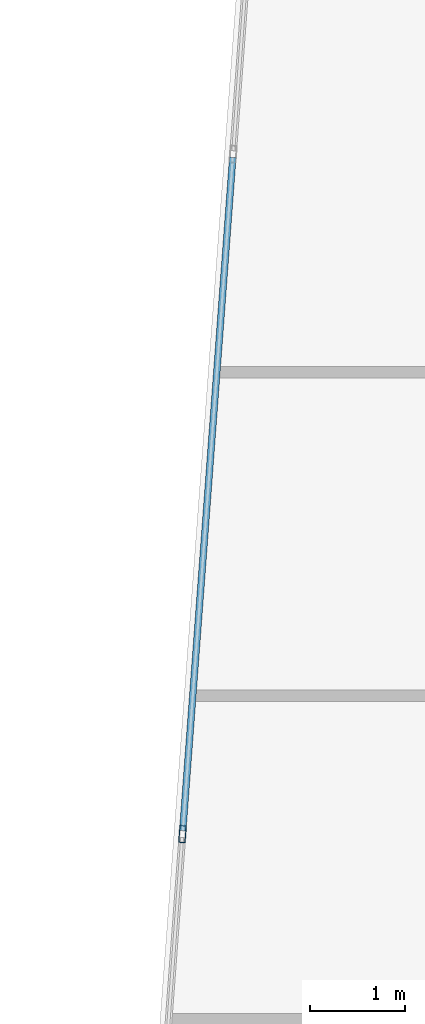
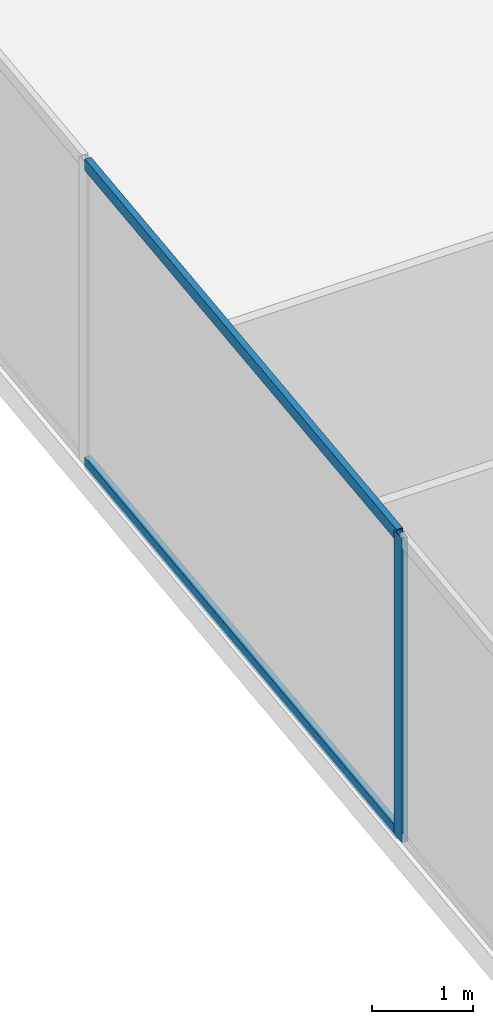
# One storey, part 10 of 30: 3 members, 1 element without a shape of its own.
"""IFC4 building model written with IfcOpenShell, lengths in metres."""

from ifc_helpers import new_model, si_unit, direction, frame, origin, origin_2d, place, context, subcontext, project, spatial, hollow_rectangle, extrude, source, transform, mapped, material, material_profile, profile_set, type_object, type_shapes, element, aggregate, save


model = new_model("IFC4")

# Units and contexts
model_context = context("Model", 3, precision=1e-05, world=origin(), true_north=direction((0.0, 1.0)))
body_context = subcontext(model_context, "Body", "Model", "MODEL_VIEW")
ifc_project = project(units=[si_unit("LENGTHUNIT", "METRE"), si_unit("AREAUNIT", "SQUARE_METRE"), si_unit("VOLUMEUNIT", "CUBIC_METRE"), si_unit("PLANEANGLEUNIT", "RADIAN"), si_unit("MASSUNIT", "GRAM", prefix="KILO")], contexts=[model_context])

# Site, building, storey
site_placement = place(None, origin())
site = spatial("IfcSite", under=ifc_project, at=site_placement, CompositionType="ELEMENT")
building_placement = place(site_placement, origin())
building = spatial("IfcBuilding", under=site, at=building_placement, Name="Krantzveldt Concourse Tower", CompositionType="ELEMENT")
storey_placement = place(building_placement, frame((0.0, 0.0, 48.699951171875)))
storey = spatial("IfcBuildingStorey", under=building, at=storey_placement, Name="L11", CompositionType="ELEMENT", Elevation=48.699951171875)

# Curtain wall, members
ifc_material = material(Name="Anodised aluminium 6063-T6", Category="aluminium")
curtain_wall_type = type_object("IfcCurtainWallType", Name="CW2", PredefinedType="USERDEFINED", material=ifc_material)
curtain_wall_placement = place(storey_placement, origin())
curtain_wall = element("IfcCurtainWall", 1, at=curtain_wall_placement, inside=storey, type_object=curtain_wall_type, Name="CW-L11-F01", ObjectType="UNITISED CURTAIN WALL", PredefinedType="USERDEFINED")
ifc_material_profile_1 = material_profile(ifc_material, hollow_rectangle(XDim=0.070068359375, YDim=0.139892578125, WallThickness=0.0048828125, at=origin_2d()), Name="Anodised aluminium 6063-T6", Category="aluminium")
ifc_profile_set_1 = profile_set([ifc_material_profile_1], Name="Anodised aluminium 6063-T6 - ALU-TRAN 140x70x5")
member_type_1 = type_object("IfcMemberType", Name="CW-TRN-150", PredefinedType="USERDEFINED", material=ifc_profile_set_1)
shared_shape_1 = source(origin(), body_context, "Body", "SweptSolid", [
    extrude(hollow_rectangle(XDim=0.070068359375, YDim=0.139892578125, WallThickness=0.0048828125, at=origin_2d()), origin(), (0.0, 0.0, 1.0), 7.0966796875),
])
type_shapes(member_type_1, [shared_shape_1])
member_1_placement = place(storey_placement, frame((11.68701171875, 35.658203125, 0.03515625), z_axis=(-0.074102314311, -0.997250644028, 0.0), x_axis=(0.997250644028, -0.074102314311, 0.0)))
member_1 = element("IfcMember", 2, at=member_1_placement, type_object=member_type_1, Name="CW-Z12 transom 3.1", ObjectType="TRANSOM", PredefinedType="USERDEFINED", context=body_context, shape_type="MappedRepresentation", body=[
    mapped(shared_shape_1, transform((0.0, 0.0, 0.0), x_axis=(1.0, 0.0, 0.0), y_axis=(0.0, 1.0, 0.0), z_axis=(0.0, 0.0, 1.0), scale=1.0)),
])
member_2_placement = place(storey_placement, frame((11.68701171875, 35.658203125, 3.635009765625), z_axis=(-0.074102314311, -0.997250644028, 0.0), x_axis=(0.997250644028, -0.074102314311, 0.0)))
member_2 = element("IfcMember", 3, at=member_2_placement, type_object=member_type_1, Name="CW-Z12 transom 3.2", ObjectType="TRANSOM", PredefinedType="USERDEFINED", context=body_context, shape_type="MappedRepresentation", body=[
    mapped(shared_shape_1, transform((0.0, 0.0, 0.0), x_axis=(1.0, 0.0, 0.0), y_axis=(0.0, 1.0, 0.0), z_axis=(0.0, 0.0, 1.0), scale=1.0)),
])
ifc_material_profile_2 = material_profile(ifc_material, hollow_rectangle(XDim=0.070068359375, YDim=0.179931640625, WallThickness=0.0048828125, at=origin_2d()), Name="Anodised aluminium 6063-T6", Category="aluminium")
ifc_profile_set_2 = profile_set([ifc_material_profile_2], Name="Anodised aluminium 6063-T6 - ALU-MULL 180x70x5")
member_type_2 = type_object("IfcMemberType", Name="CW-MUL-180", PredefinedType="MULLION", material=ifc_profile_set_2)
shared_shape_2 = source(origin(), body_context, "Body", "SweptSolid", [
    extrude(hollow_rectangle(XDim=0.070068359375, YDim=0.179931640625, WallThickness=0.0048828125, at=origin_2d()), origin(), (0.0, 0.0, 1.0), 3.670166015625),
])
type_shapes(member_type_2, [shared_shape_2])
member_3_placement = place(storey_placement, frame((11.158447265625, 28.546142578125, 0.0), z_axis=(0.0, 0.0, 1.0), x_axis=(0.997250176902, -0.07410860051, 0.0)))
member_3 = element("IfcMember", 4, at=member_3_placement, type_object=member_type_2, Name="CW-Z12 mullion 4", PredefinedType="MULLION", context=body_context, shape_type="MappedRepresentation", body=[
    mapped(shared_shape_2, transform((0.0, 0.0, 0.0), x_axis=(1.0, 0.0, 0.0), y_axis=(0.0, 1.0, 0.0), z_axis=(0.0, 0.0, 1.0), scale=1.0)),
])
aggregate(curtain_wall, [member_3, member_1, member_2])

save(model, "model.ifc")
